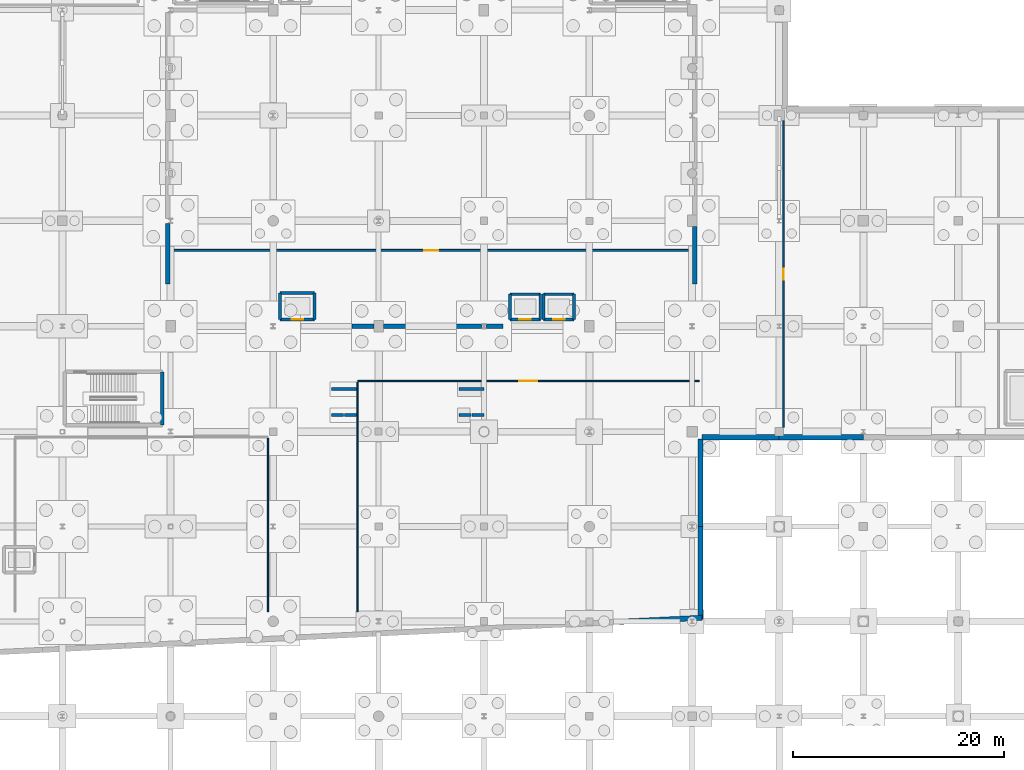
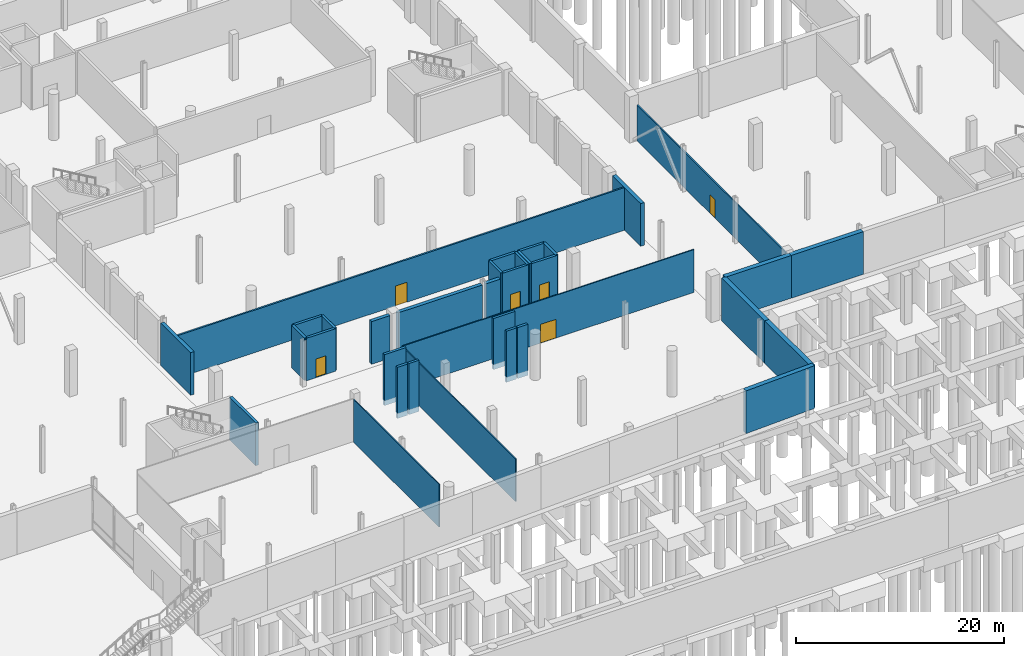
# One storey, part 44 of 60: 34 walls, 6 doors, 6 openings.
"""IFC4 building model written with IfcOpenShell, lengths in metres."""

from ifc_helpers import new_model, si_unit, direction, frame, frame_2d, origin, place, context, subcontext, project, spatial, rectangle, extrude, material, layer, layer_set, type_object, element, fill, save


model = new_model("IFC4")

# Units and contexts
model_context = context("Model", 3, precision=1e-05, world=origin(), true_north=direction((0.0, 1.0)))
body_context = subcontext(model_context, "Body", "Model", "MODEL_VIEW")
ifc_project = project(units=[si_unit("LENGTHUNIT", "METRE"), si_unit("AREAUNIT", "SQUARE_METRE"), si_unit("VOLUMEUNIT", "CUBIC_METRE"), si_unit("PLANEANGLEUNIT", "RADIAN"), si_unit("MASSUNIT", "GRAM", prefix="KILO")], contexts=[model_context])

# Site, building, storey
site_placement = place(None, origin())
site = spatial("IfcSite", under=ifc_project, at=site_placement, CompositionType="ELEMENT")
building_placement = place(site_placement, origin())
building = spatial("IfcBuilding", under=site, at=building_placement, Name="Trimount Lyric Opera House", CompositionType="ELEMENT")
storey_placement = place(building_placement, frame((0.0, 0.0, -5.39990234375)))
storey = spatial("IfcBuildingStorey", under=building, at=storey_placement, Name="B1", CompositionType="ELEMENT", Elevation=-5.39990234375)

# Wall
ifc_material_1 = material(Name="Gypsum Board Partition")
ifc_layer_1 = layer(ifc_material_1, 0.1201171875)
ifc_layer_set_1 = layer_set([ifc_layer_1], Name="WL-PT120")
wall_type_1 = type_object("IfcWallType", Name="WL-PT120", PredefinedType="PARTITIONING", material=ifc_layer_set_1)
wall_1_placement = place(storey_placement, frame((73.5, 26.919921875, 0.0), z_axis=(0.0, 0.0, 1.0), x_axis=(0.0, 1.0, 0.0)))
element("IfcWall", 1, at=wall_1_placement, inside=storey, type_object=wall_type_1, Name="B1 Lower Concourse Exhibition Gallery E partition", PredefinedType="PARTITIONING", context=body_context, shape_type="SweptSolid", body=[
    extrude(rectangle(XDim=16.4599609375, YDim=0.1201171875, at=frame_2d((8.22998046875, 0.0))), origin(), (0.0, 0.0, 1.0), 5.02001953125),
])

# Wall, opening, door
wall_2_placement = place(storey_placement, frame((114.39990234375, 48.800048828125, 0.0), z_axis=(0.0, 0.0, 1.0), x_axis=(-1.0, 0.0, 0.0)))
wall_2 = element("IfcWall", 2, at=wall_2_placement, inside=storey, type_object=wall_type_1, Name="B1 Subscriber Reading & Lecture Studio N partition", PredefinedType="PARTITIONING", context=body_context, shape_type="SweptSolid", body=[
    extrude(rectangle(XDim=32.39990234375, YDim=0.1201171875, at=frame_2d((16.199951171875, 0.0))), origin(), (0.0, 0.0, 1.0), 5.02001953125),
])
opening_1_placement = place(wall_2_placement, frame((15.35009765625, 0.0, 0.0)))
opening_1 = element("IfcOpeningElement", 3, at=opening_1_placement, cuts=wall_2, Name="Opening DT-COR2", PredefinedType="OPENING", context=body_context, shape_type="SweptSolid", body=[
    extrude(rectangle(XDim=1.699951171875, YDim=2.199951171875, at=frame_2d((0.85009765625, 1.10009765625))), frame((0.0, 0.070068359375, 0.0), z_axis=(0.0, -1.0, 0.0), x_axis=(1.0, 0.0, 0.0)), (0.0, 0.0, 1.0), 0.14013671875),
])
ifc_material_2 = material(Name="Solid Core White Oak")
door_type_1 = type_object("IfcDoorType", Name="DT-COR2", OperationType="DOUBLE_DOOR_SINGLE_SWING", PredefinedType="DOOR", material=ifc_material_2)
door_1_placement = place(opening_1_placement, origin())
door_1 = element("IfcDoor", 4, at=door_1_placement, inside=storey, type_object=door_type_1, Name="D-170", OperationType="DOUBLE_DOOR_SINGLE_SWING", OverallHeight=2.199951171875, OverallWidth=1.699951171875, PredefinedType="DOOR", context=body_context, shape_type="SweptSolid", body=[
    extrude(rectangle(XDim=1.699951171875, YDim=2.199951171875, at=frame_2d((0.85009765625, 1.10009765625))), frame((0.0, 0.02490234375, 0.0), z_axis=(0.0, -1.0, 0.0), x_axis=(1.0, 0.0, 0.0)), (0.0, 0.0, 1.0), 0.050048828125),
])
fill(opening_1, door_1)

# Wall
wall_3_placement = place(storey_placement, frame((82.0, 48.679931640625, 0.0), z_axis=(0.0, 0.0, 1.0), x_axis=(0.0, -1.0, 0.0)))
element("IfcWall", 5, at=wall_3_placement, inside=storey, type_object=wall_type_1, Name="B1 Subscriber Reading & Lecture Studio W partition", PredefinedType="PARTITIONING", context=body_context, shape_type="SweptSolid", body=[
    extrude(rectangle(XDim=21.760009765625, YDim=0.1201171875, at=frame_2d((10.8798828125, 0.0))), origin(), (0.0, 0.0, 1.0), 5.02001953125),
])

# Wall, opening, door
ifc_material_3 = material(Name="Fire-Rated Gypsum Board Partition")
ifc_layer_2 = layer(ifc_material_3, 0.14990234375)
ifc_layer_set_2 = layer_set([ifc_layer_2], Name="WL-PT150")
wall_type_2 = type_object("IfcWallType", Name="WL-PT150", PredefinedType="PARTITIONING", material=ifc_layer_set_2)
wall_4_placement = place(storey_placement, frame((122.39990234375, 73.5, 0.0), z_axis=(0.0, 0.0, 1.0), x_axis=(0.0, -1.0, 0.0)))
wall_4 = element("IfcWall", 6, at=wall_4_placement, inside=storey, type_object=wall_type_2, Name="B1 Repertory Costume Atelier W partition", PredefinedType="PARTITIONING", context=body_context, shape_type="SweptSolid", body=[
    extrude(rectangle(XDim=29.10009765625, YDim=0.14990234375, at=frame_2d((14.550048828125, 0.0))), origin(), (0.0, 0.0, 1.0), 4.2099609375),
])
opening_2_placement = place(wall_4_placement, frame((14.02490234375, 0.0, 0.0)))
opening_2 = element("IfcOpeningElement", 7, at=opening_2_placement, cuts=wall_4, Name="Opening DT-RM3", PredefinedType="OPENING", context=body_context, shape_type="SweptSolid", body=[
    extrude(rectangle(XDim=1.050048828125, YDim=2.199951171875, at=frame_2d((0.52490234375, 1.10009765625))), frame((0.0, 0.0849609375, 0.0), z_axis=(0.0, -1.0, 0.0), x_axis=(1.0, 0.0, 0.0)), (0.0, 0.0, 1.0), 0.169921875),
])
ifc_material_4 = material(Name="Solid Core White Oak")
door_type_2 = type_object("IfcDoorType", Name="DT-RM3", OperationType="NOTDEFINED", PredefinedType="DOOR", material=ifc_material_4)
door_2_placement = place(opening_2_placement, origin())
door_2 = element("IfcDoor", 8, at=door_2_placement, inside=storey, type_object=door_type_2, Name="D-171", OperationType="SINGLE_SWING_LEFT", OverallHeight=2.199951171875, OverallWidth=1.050048828125, PredefinedType="DOOR", context=body_context, shape_type="SweptSolid", body=[
    extrude(rectangle(XDim=1.050048828125, YDim=2.199951171875, at=frame_2d((0.52490234375, 1.10009765625))), frame((0.0, 0.02490234375, 0.0), z_axis=(0.0, -1.0, 0.0), x_axis=(1.0, 0.0, 0.0)), (0.0, 0.0, 1.0), 0.050048828125),
])
fill(opening_2, door_2)

ifc_material_5 = material(Name="Acoustic Double-Stud Gypsum Board")
ifc_layer_3 = layer(ifc_material_5, 0.179931640625)
ifc_layer_set_3 = layer_set([ifc_layer_3], Name="WL-PT180")
wall_type_3 = type_object("IfcWallType", Name="WL-PT180", PredefinedType="PARTITIONING", material=ifc_layer_set_3)
wall_5_placement = place(storey_placement, frame((64.139892578125, 61.199951171875, 0.0), z_axis=(0.0, 0.0, 1.0), x_axis=(1.0, 0.0, 0.0)))
wall_5 = element("IfcWall", 9, at=wall_5_placement, inside=storey, type_object=wall_type_3, Name="B1 Symphony Warm-Up Studio S partition", PredefinedType="PARTITIONING", context=body_context, shape_type="SweptSolid", body=[
    extrude(rectangle(XDim=49.72021484375, YDim=0.179931640625, at=frame_2d((24.860107421875, 0.0))), origin(), (0.0, 0.0, 1.0), 5.0),
])
opening_3_placement = place(wall_5_placement, frame((24.2099609375, 0.0, 0.0)))
opening_3 = element("IfcOpeningElement", 10, at=opening_3_placement, cuts=wall_5, Name="Opening DT-AC1", PredefinedType="OPENING", context=body_context, shape_type="SweptSolid", body=[
    extrude(rectangle(XDim=1.300048828125, YDim=2.35009765625, at=frame_2d((0.64990234375, 1.175048828125))), frame((0.0, 0.10009765625, 0.0), z_axis=(0.0, -1.0, 0.0), x_axis=(1.0, 0.0, 0.0)), (0.0, 0.0, 1.0), 0.199951171875),
])
ifc_material_6 = material(Name="Acoustic Steel-Core Timber", Category="steel")
door_type_3 = type_object("IfcDoorType", Name="DT-AC1", OperationType="NOTDEFINED", PredefinedType="DOOR", material=ifc_material_6)
door_3_placement = place(opening_3_placement, origin())
door_3 = element("IfcDoor", 11, at=door_3_placement, inside=storey, type_object=door_type_3, Name="D-163", OperationType="SINGLE_SWING_LEFT", OverallHeight=2.35009765625, OverallWidth=1.300048828125, PredefinedType="DOOR", context=body_context, shape_type="SweptSolid", body=[
    extrude(rectangle(XDim=1.300048828125, YDim=2.35009765625, at=frame_2d((0.64990234375, 1.175048828125))), frame((0.0, 0.02490234375, 0.0), z_axis=(0.0, -1.0, 0.0), x_axis=(1.0, 0.0, 0.0)), (0.0, 0.0, 1.0), 0.050048828125),
])
fill(opening_3, door_3)

# Walls
ifc_material_7 = material(Name="Concrete C40/50", Category="concrete")
ifc_layer_4 = layer(ifc_material_7, 0.5)
ifc_layer_set_4 = layer_set([ifc_layer_4], Name="WL-RET500")
wall_type_4 = type_object("IfcWallType", Name="WL-RET500", PredefinedType="USERDEFINED", material=ifc_layer_set_4)
wall_6_placement = place(storey_placement, frame((130.0, 43.4599609375, 0.0), z_axis=(0.0, 0.0, 1.0), x_axis=(-1.0, 0.0, 0.0)))
element("IfcWall", 12, at=wall_6_placement, inside=storey, type_object=wall_type_4, Name="B1 exterior retaining wall 043", ObjectType="RETAININGWALL", PredefinedType="USERDEFINED", context=body_context, shape_type="SweptSolid", body=[
    extrude(rectangle(XDim=8.0, YDim=0.5, at=frame_2d((4.0, 0.0))), origin(), (0.0, 0.0, 1.0), 5.02001953125),
])
wall_7_placement = place(storey_placement, frame((122.0, 43.4599609375, 0.0), z_axis=(0.0, 0.0, 1.0), x_axis=(-1.0, 0.0, 0.0)))
element("IfcWall", 13, at=wall_7_placement, inside=storey, type_object=wall_type_4, Name="B1 exterior retaining wall 044", ObjectType="RETAININGWALL", PredefinedType="USERDEFINED", context=body_context, shape_type="SweptSolid", body=[
    extrude(rectangle(XDim=7.320068359375, YDim=0.5, at=frame_2d((3.66015625, 0.0))), origin(), (0.0, 0.0, 1.0), 5.02001953125),
])
wall_8_placement = place(storey_placement, frame((114.5400390625, 43.320068359375, 0.0), z_axis=(0.0, 0.0, 1.0), x_axis=(0.0, -1.0, 0.0)))
element("IfcWall", 14, at=wall_8_placement, inside=storey, type_object=wall_type_4, Name="B1 exterior retaining wall 045", ObjectType="RETAININGWALL", PredefinedType="USERDEFINED", context=body_context, shape_type="SweptSolid", body=[
    extrude(rectangle(XDim=8.320068359375, YDim=0.5, at=frame_2d((4.16015625, 0.0))), origin(), (0.0, 0.0, 1.0), 5.02001953125),
])
wall_9_placement = place(storey_placement, frame((114.5400390625, 35.0, 0.0), z_axis=(0.0, 0.0, 1.0), x_axis=(0.0, -1.0, 0.0)))
element("IfcWall", 15, at=wall_9_placement, inside=storey, type_object=wall_type_4, Name="B1 exterior retaining wall 046", ObjectType="RETAININGWALL", PredefinedType="USERDEFINED", context=body_context, shape_type="SweptSolid", body=[
    extrude(rectangle(XDim=8.800048828125, YDim=0.5, at=frame_2d((4.39990234375, 0.0))), origin(), (0.0, 0.0, 1.0), 5.02001953125),
])
wall_10_placement = place(storey_placement, frame((114.673095703125, 26.33984375, 0.0), z_axis=(0.0, 0.0, 1.0), x_axis=(-0.998810832673, -0.048753672011, 0.0)))
element("IfcWall", 16, at=wall_10_placement, inside=storey, type_object=wall_type_4, Name="B1 exterior retaining wall 047", ObjectType="RETAININGWALL", PredefinedType="USERDEFINED", context=body_context, shape_type="SweptSolid", body=[
    extrude(rectangle(XDim=7.826904296875, YDim=0.5, at=frame_2d((3.91357421875, 0.0))), origin(), (0.0, 0.0, 1.0), 5.02001953125),
])
ifc_material_8 = material(Name="Concrete C40/50", Category="concrete")
ifc_layer_5 = layer(ifc_material_8, 0.280029296875)
ifc_layer_set_5 = layer_set([ifc_layer_5], Name="WL-SH280")
wall_type_5 = type_object("IfcWallType", Name="WL-SH280", PredefinedType="SHEAR", material=ifc_layer_set_5)
for number, where, z_axis, x_axis, name in (
    (17, (79.52001953125, 45.56494140625, -0.60009765625), (0.0, 0.0, 1.0), (1.0, 0.0, 0.0), "Concourse Roof-Garden Gallery Stair B1 landing fin pier SL"),
    (18, (80.780029296875, 45.56494140625, -0.60009765625), (0.0, 0.0, 1.0), (1.0, 0.0, 0.0), "Concourse Roof-Garden Gallery Stair B1 landing fin pier SR"),
):
    element("IfcWall", number, at=place(storey_placement, frame(where, z_axis=z_axis, x_axis=x_axis)), inside=storey, type_object=wall_type_5, Name=name, PredefinedType="SHEAR", context=body_context, shape_type="SweptSolid", body=[
        extrude(rectangle(XDim=1.139892578125, YDim=0.280029296875, at=frame_2d((0.56982421875, 0.0))), origin(), (0.0, 0.0, 1.0), 6.0),
    ])
wall_11_placement = place(storey_placement, frame((79.52001953125, 48.034912109375, -0.60009765625), z_axis=(0.0, 0.0, 1.0), x_axis=(1.0, 0.0, 0.0)))
element("IfcWall", 19, at=wall_11_placement, inside=storey, type_object=wall_type_5, Name="Concourse Roof-Garden Gallery Stair B1 landing fin pier N", PredefinedType="SHEAR", context=body_context, shape_type="SweptSolid", body=[
    extrude(rectangle(XDim=2.39990234375, YDim=0.280029296875, at=frame_2d((1.199951171875, 0.0))), origin(), (0.0, 0.0, 1.0), 6.0),
])
wall_12_placement = place(storey_placement, frame((91.6201171875, 45.56494140625, -0.60009765625), z_axis=(0.0, 0.0, 1.0), x_axis=(1.0, 0.0, 0.0)))
element("IfcWall", 20, at=wall_12_placement, inside=storey, type_object=wall_type_5, Name="Winter-Garden East Promenade Stair B1 landing fin pier SL", PredefinedType="SHEAR", context=body_context, shape_type="SweptSolid", body=[
    extrude(rectangle(XDim=1.139892578125, YDim=0.280029296875, at=frame_2d((0.56982421875, 0.0))), origin(), (0.0, 0.0, 1.0), 6.0),
])
wall_13_placement = place(storey_placement, frame((92.8798828125, 45.56494140625, -0.60009765625), z_axis=(0.0, 0.0, 1.0), x_axis=(1.0, 0.0, 0.0)))
element("IfcWall", 21, at=wall_13_placement, inside=storey, type_object=wall_type_5, Name="Winter-Garden East Promenade Stair B1 landing fin pier SR", PredefinedType="SHEAR", context=body_context, shape_type="SweptSolid", body=[
    extrude(rectangle(XDim=1.14013671875, YDim=0.280029296875, at=frame_2d((0.570068359375, 0.0))), origin(), (0.0, 0.0, 1.0), 6.0),
])
wall_14_placement = place(storey_placement, frame((91.6201171875, 48.034912109375, -0.60009765625), z_axis=(0.0, 0.0, 1.0), x_axis=(1.0, 0.0, 0.0)))
element("IfcWall", 22, at=wall_14_placement, inside=storey, type_object=wall_type_5, Name="Winter-Garden East Promenade Stair B1 landing fin pier N", PredefinedType="SHEAR", context=body_context, shape_type="SweptSolid", body=[
    extrude(rectangle(XDim=2.39990234375, YDim=0.280029296875, at=frame_2d((1.199951171875, 0.0))), origin(), (0.0, 0.0, 1.0), 6.0),
])

# Wall, opening, door
wall_15_placement = place(storey_placement, frame((74.659912109375, 54.659912109375, 0.0), z_axis=(0.0, 0.0, 1.0), x_axis=(1.0, 0.0, 0.0)))
wall_15 = element("IfcWall", 23, at=wall_15_placement, inside=storey, type_object=wall_type_5, Name="Lift LF-02 B1 south shaft wall", PredefinedType="SHEAR", context=body_context, shape_type="SweptSolid", body=[
    extrude(rectangle(XDim=3.280029296875, YDim=0.280029296875, at=frame_2d((1.64013671875, 0.0))), origin(), (0.0, 0.0, 1.0), 5.0),
])
opening_4_placement = place(wall_15_placement, frame((1.090087890625, 0.0, 0.0)))
opening_4 = element("IfcOpeningElement", 24, at=opening_4_placement, cuts=wall_15, Name="Opening DT-LD1", PredefinedType="OPENING", context=body_context, shape_type="SweptSolid", body=[
    extrude(rectangle(XDim=1.10009765625, YDim=2.199951171875, at=frame_2d((0.550048828125, 1.10009765625))), frame((0.0, 0.14990234375, 0.0), z_axis=(0.0, -1.0, 0.0), x_axis=(1.0, 0.0, 0.0)), (0.0, 0.0, 1.0), 0.300048828125),
])
ifc_material_9 = material(Name="Brushed Stainless Steel", Category="steel")
door_type_4 = type_object("IfcDoorType", Name="DT-LD1", OperationType="SLIDING_TO_LEFT", PredefinedType="DOOR", material=ifc_material_9)
door_4_placement = place(opening_4_placement, origin())
door_4 = element("IfcDoor", 25, at=door_4_placement, inside=storey, type_object=door_type_4, Name="D-073", OperationType="SLIDING_TO_LEFT", OverallHeight=2.199951171875, OverallWidth=1.10009765625, PredefinedType="DOOR", context=body_context, shape_type="SweptSolid", body=[
    extrude(rectangle(XDim=1.10009765625, YDim=2.199951171875, at=frame_2d((0.550048828125, 1.10009765625))), frame((0.0, 0.02490234375, 0.0), z_axis=(0.0, -1.0, 0.0), x_axis=(1.0, 0.0, 0.0)), (0.0, 0.0, 1.0), 0.050048828125),
])
fill(opening_4, door_4)

# Walls
wall_16_placement = place(storey_placement, frame((77.93994140625, 57.139892578125, 0.0), z_axis=(0.0, 0.0, 1.0), x_axis=(-1.0, 0.0, 0.0)))
element("IfcWall", 26, at=wall_16_placement, inside=storey, type_object=wall_type_5, Name="Lift LF-02 B1 north shaft wall", PredefinedType="SHEAR", context=body_context, shape_type="SweptSolid", body=[
    extrude(rectangle(XDim=3.280029296875, YDim=0.280029296875, at=frame_2d((1.64013671875, 0.0))), origin(), (0.0, 0.0, 1.0), 5.0),
])
for number, where, z_axis, x_axis, name in (
    (27, (74.659912109375, 57.139892578125, 0.0), (0.0, 0.0, 1.0), (0.0, -1.0, 0.0), "Lift LF-02 B1 west shaft wall"),
    (28, (77.93994140625, 54.659912109375, 0.0), (0.0, 0.0, 1.0), (0.0, 1.0, 0.0), "Lift LF-02 B1 east shaft wall"),
):
    element("IfcWall", number, at=place(storey_placement, frame(where, z_axis=z_axis, x_axis=x_axis)), inside=storey, type_object=wall_type_5, Name=name, PredefinedType="SHEAR", context=body_context, shape_type="SweptSolid", body=[
        extrude(rectangle(XDim=2.47998046875, YDim=0.280029296875, at=frame_2d((1.239990234375, 0.0))), origin(), (0.0, 0.0, 1.0), 5.0),
    ])

# Wall, opening, door
wall_17_placement = place(storey_placement, frame((96.4599609375, 54.659912109375, 0.0), z_axis=(0.0, 0.0, 1.0), x_axis=(1.0, 0.0, 0.0)))
wall_17 = element("IfcWall", 29, at=wall_17_placement, inside=storey, type_object=wall_type_5, Name="Lift LF-03 B1 south shaft wall", PredefinedType="SHEAR", context=body_context, shape_type="SweptSolid", body=[
    extrude(rectangle(XDim=2.880126953125, YDim=0.280029296875, at=frame_2d((1.43994140625, 0.0))), origin(), (0.0, 0.0, 1.0), 5.0),
])
opening_5_placement = place(wall_17_placement, frame((0.889892578125, 0.0, 0.0)))
opening_5 = element("IfcOpeningElement", 30, at=opening_5_placement, cuts=wall_17, Name="Opening DT-LD1", PredefinedType="OPENING", context=body_context, shape_type="SweptSolid", body=[
    extrude(rectangle(XDim=1.10009765625, YDim=2.199951171875, at=frame_2d((0.550048828125, 1.10009765625))), frame((0.0, 0.14990234375, 0.0), z_axis=(0.0, -1.0, 0.0), x_axis=(1.0, 0.0, 0.0)), (0.0, 0.0, 1.0), 0.300048828125),
])
door_5_placement = place(opening_5_placement, origin())
door_5 = element("IfcDoor", 31, at=door_5_placement, inside=storey, type_object=door_type_4, Name="D-079", OperationType="SLIDING_TO_LEFT", OverallHeight=2.199951171875, OverallWidth=1.10009765625, PredefinedType="DOOR", context=body_context, shape_type="SweptSolid", body=[
    extrude(rectangle(XDim=1.10009765625, YDim=2.199951171875, at=frame_2d((0.550048828125, 1.10009765625))), frame((0.0, 0.02490234375, 0.0), z_axis=(0.0, -1.0, 0.0), x_axis=(1.0, 0.0, 0.0)), (0.0, 0.0, 1.0), 0.050048828125),
])
fill(opening_5, door_5)

# Walls
wall_18_placement = place(storey_placement, frame((99.340087890625, 57.0400390625, 0.0), z_axis=(0.0, 0.0, 1.0), x_axis=(-1.0, 0.0, 0.0)))
element("IfcWall", 32, at=wall_18_placement, inside=storey, type_object=wall_type_5, Name="Lift LF-03 B1 north shaft wall", PredefinedType="SHEAR", context=body_context, shape_type="SweptSolid", body=[
    extrude(rectangle(XDim=2.880126953125, YDim=0.280029296875, at=frame_2d((1.43994140625, 0.0))), origin(), (0.0, 0.0, 1.0), 5.0),
])
for number, where, z_axis, x_axis, name in (
    (33, (96.4599609375, 57.0400390625, 0.0), (0.0, 0.0, 1.0), (0.0, -1.0, 0.0), "Lift LF-03 B1 west shaft wall"),
    (34, (99.340087890625, 54.659912109375, 0.0), (0.0, 0.0, 1.0), (0.0, 1.0, 0.0), "Lift LF-03 B1 east shaft wall"),
):
    element("IfcWall", number, at=place(storey_placement, frame(where, z_axis=z_axis, x_axis=x_axis)), inside=storey, type_object=wall_type_5, Name=name, PredefinedType="SHEAR", context=body_context, shape_type="SweptSolid", body=[
        extrude(rectangle(XDim=2.380126953125, YDim=0.280029296875, at=frame_2d((1.18994140625, 0.0))), origin(), (0.0, 0.0, 1.0), 5.0),
    ])

# Wall, opening, door
wall_19_placement = place(storey_placement, frame((99.659912109375, 54.659912109375, 0.0), z_axis=(0.0, 0.0, 1.0), x_axis=(1.0, 0.0, 0.0)))
wall_19 = element("IfcWall", 35, at=wall_19_placement, inside=storey, type_object=wall_type_5, Name="Lift LF-04 B1 south shaft wall", PredefinedType="SHEAR", context=body_context, shape_type="SweptSolid", body=[
    extrude(rectangle(XDim=2.880126953125, YDim=0.280029296875, at=frame_2d((1.43994140625, 0.0))), origin(), (0.0, 0.0, 1.0), 5.0),
])
opening_6_placement = place(wall_19_placement, frame((0.889892578125, 0.0, 0.0)))
opening_6 = element("IfcOpeningElement", 36, at=opening_6_placement, cuts=wall_19, Name="Opening DT-LD1", PredefinedType="OPENING", context=body_context, shape_type="SweptSolid", body=[
    extrude(rectangle(XDim=1.10009765625, YDim=2.199951171875, at=frame_2d((0.550048828125, 1.10009765625))), frame((0.0, 0.14990234375, 0.0), z_axis=(0.0, -1.0, 0.0), x_axis=(1.0, 0.0, 0.0)), (0.0, 0.0, 1.0), 0.300048828125),
])
door_6_placement = place(opening_6_placement, origin())
door_6 = element("IfcDoor", 37, at=door_6_placement, inside=storey, type_object=door_type_4, Name="D-085", OperationType="SLIDING_TO_LEFT", OverallHeight=2.199951171875, OverallWidth=1.10009765625, PredefinedType="DOOR", context=body_context, shape_type="SweptSolid", body=[
    extrude(rectangle(XDim=1.10009765625, YDim=2.199951171875, at=frame_2d((0.550048828125, 1.10009765625))), frame((0.0, 0.02490234375, 0.0), z_axis=(0.0, -1.0, 0.0), x_axis=(1.0, 0.0, 0.0)), (0.0, 0.0, 1.0), 0.050048828125),
])
fill(opening_6, door_6)

# Walls
wall_20_placement = place(storey_placement, frame((102.5400390625, 57.0400390625, 0.0), z_axis=(0.0, 0.0, 1.0), x_axis=(-1.0, 0.0, 0.0)))
element("IfcWall", 38, at=wall_20_placement, inside=storey, type_object=wall_type_5, Name="Lift LF-04 B1 north shaft wall", PredefinedType="SHEAR", context=body_context, shape_type="SweptSolid", body=[
    extrude(rectangle(XDim=2.880126953125, YDim=0.280029296875, at=frame_2d((1.43994140625, 0.0))), origin(), (0.0, 0.0, 1.0), 5.0),
])
for number, where, z_axis, x_axis, name in (
    (39, (99.659912109375, 57.0400390625, 0.0), (0.0, 0.0, 1.0), (0.0, -1.0, 0.0), "Lift LF-04 B1 west shaft wall"),
    (40, (102.5400390625, 54.659912109375, 0.0), (0.0, 0.0, 1.0), (0.0, 1.0, 0.0), "Lift LF-04 B1 east shaft wall"),
):
    element("IfcWall", number, at=place(storey_placement, frame(where, z_axis=z_axis, x_axis=x_axis)), inside=storey, type_object=wall_type_5, Name=name, PredefinedType="SHEAR", context=body_context, shape_type="SweptSolid", body=[
        extrude(rectangle(XDim=2.380126953125, YDim=0.280029296875, at=frame_2d((1.18994140625, 0.0))), origin(), (0.0, 0.0, 1.0), 5.0),
    ])
ifc_material_10 = material(Name="Concrete C40/50", Category="concrete")
ifc_layer_6 = layer(ifc_material_10, 0.320068359375)
ifc_layer_set_6 = layer_set([ifc_layer_6], Name="WL-SH320")
wall_type_6 = type_object("IfcWallType", Name="WL-SH320", PredefinedType="SHEAR", material=ifc_layer_set_6)
wall_21_placement = place(storey_placement, frame((63.47509765625, 44.625, 0.0), z_axis=(0.0, 0.0, 1.0), x_axis=(0.0, 1.0, 0.0)))
element("IfcWall", 41, at=wall_21_placement, inside=storey, type_object=wall_type_6, Name="K7 B1 east shaft wall", PredefinedType="SHEAR", context=body_context, shape_type="SweptSolid", body=[
    extrude(rectangle(XDim=5.050048828125, YDim=0.320068359375, at=frame_2d((2.52490234375, 0.0))), origin(), (0.0, 0.0, 1.0), 5.02001953125),
])
ifc_material_11 = material(Name="Concrete C40/50", Category="concrete")
ifc_layer_7 = layer(ifc_material_11, 0.39990234375)
ifc_layer_set_7 = layer_set([ifc_layer_7], Name="WL-SH400")
wall_type_7 = type_object("IfcWallType", Name="WL-SH400", PredefinedType="SHEAR", material=ifc_layer_set_7)
wall_22_placement = place(storey_placement, frame((64.0, 58.0, 0.0), z_axis=(0.0, 0.0, 1.0), x_axis=(0.0, 1.0, 0.0)))
element("IfcWall", 42, at=wall_22_placement, inside=storey, type_object=wall_type_7, Name="B1 auditorium west acoustic shear wall", PredefinedType="SHEAR", context=body_context, shape_type="SweptSolid", body=[
    extrude(rectangle(XDim=5.767578125, YDim=0.39990234375, at=frame_2d((2.8837890625, 0.0))), origin(), (0.0, 0.0, 1.0), 5.0),
])
wall_23_placement = place(storey_placement, frame((114.0, 58.0, 0.0), z_axis=(0.0, 0.0, 1.0), x_axis=(0.0, 1.0, 0.0)))
element("IfcWall", 43, at=wall_23_placement, inside=storey, type_object=wall_type_7, Name="B1 auditorium east acoustic shear wall", PredefinedType="SHEAR", context=body_context, shape_type="SweptSolid", body=[
    extrude(rectangle(XDim=5.449951171875, YDim=0.39990234375, at=frame_2d((2.72509765625, 0.0))), origin(), (0.0, 0.0, 1.0), 5.0),
])
wall_24_placement = place(storey_placement, frame((81.5, 54.0, 0.0), z_axis=(0.0, 0.0, 1.0), x_axis=(1.0, 0.0, 0.0)))
element("IfcWall", 44, at=wall_24_placement, inside=storey, type_object=wall_type_7, Name="B1 auditorium south acoustic lobby wall", PredefinedType="SHEAR", context=body_context, shape_type="SweptSolid", body=[
    extrude(rectangle(XDim=2.050048828125, YDim=0.39990234375, at=frame_2d((1.02490234375, 0.0))), origin(), (0.0, 0.0, 1.0), 5.0),
])
wall_25_placement = place(storey_placement, frame((84.449951171875, 54.0, 0.0), z_axis=(0.0, 0.0, 1.0), x_axis=(1.0, 0.0, 0.0)))
element("IfcWall", 45, at=wall_25_placement, inside=storey, type_object=wall_type_7, Name="B1 auditorium south acoustic lobby wall", PredefinedType="SHEAR", context=body_context, shape_type="SweptSolid", body=[
    extrude(rectangle(XDim=9.339111328125, YDim=0.39990234375, at=frame_2d((4.66943359375, 0.0))), origin(), (0.0, 0.0, 1.0), 5.0),
])
wall_26_placement = place(storey_placement, frame((94.2109375, 54.0, 0.0), z_axis=(0.0, 0.0, 1.0), x_axis=(1.0, 0.0, 0.0)))
element("IfcWall", 46, at=wall_26_placement, inside=storey, type_object=wall_type_7, Name="B1 auditorium south acoustic lobby wall", PredefinedType="SHEAR", context=body_context, shape_type="SweptSolid", body=[
    extrude(rectangle(XDim=1.589111328125, YDim=0.39990234375, at=frame_2d((0.79443359375, 0.0))), origin(), (0.0, 0.0, 1.0), 5.0),
])

save(model, "model.ifc")
